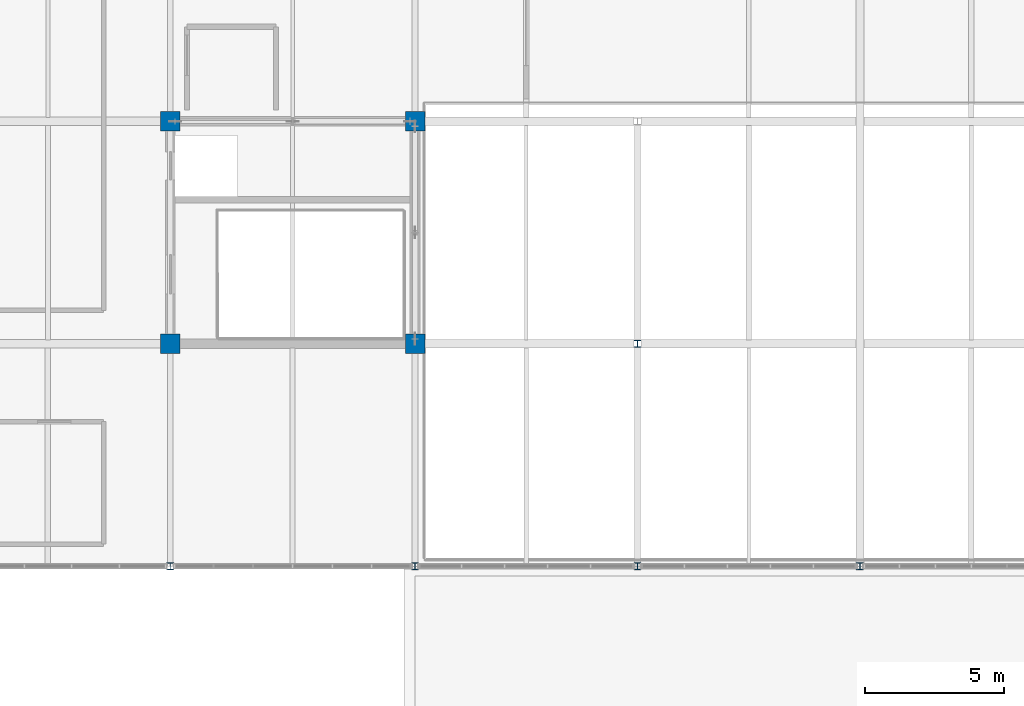
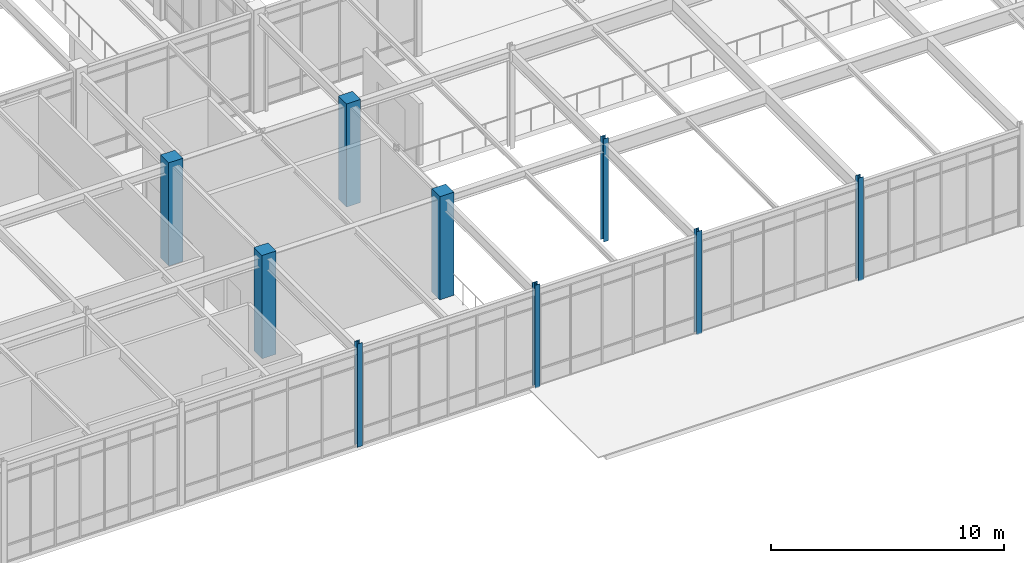
# One storey, part 3 of 184: 9 columns.
"""IFC4 building model written with IfcOpenShell, lengths in metres."""

from ifc_helpers import new_model, si_unit, direction, frame, origin, origin_2d, place, context, subcontext, project, spatial, rectangle, i_section, extrude, material, material_profile, profile_set, type_object, element, save


model = new_model("IFC4")

# Units and contexts
model_context = context("Model", 3, precision=1e-05, world=origin(), true_north=direction((0.0, 1.0)))
body_context = subcontext(model_context, "Body", "Model", "MODEL_VIEW")
ifc_project = project(units=[si_unit("LENGTHUNIT", "METRE"), si_unit("AREAUNIT", "SQUARE_METRE"), si_unit("VOLUMEUNIT", "CUBIC_METRE"), si_unit("PLANEANGLEUNIT", "RADIAN"), si_unit("MASSUNIT", "GRAM", prefix="KILO")], contexts=[model_context])

# Site, building, storey
site_placement = place(None, origin())
site = spatial("IfcSite", under=ifc_project, at=site_placement, CompositionType="ELEMENT")
building_placement = place(site_placement, origin())
building = spatial("IfcBuilding", under=site, at=building_placement, Name="Zhaolan Boulevard Law Courts", CompositionType="ELEMENT")
storey_placement = place(building_placement, frame((0.0, 0.0, 5.39990234375)))
storey = spatial("IfcBuildingStorey", under=building, at=storey_placement, Name="L01", CompositionType="ELEMENT", Elevation=5.39990234375)

# Columns
ifc_material_1 = material(Name="Structural steel Q355B", Category="steel")
ifc_material_profile_1 = material_profile(ifc_material_1, i_section(OverallWidth=0.25, OverallDepth=0.25, WebThickness=0.009033203125, FlangeThickness=0.013916015625, FilletRadius=0.01611328125, at=origin_2d()), Name="HW250x250")
ifc_profile_set_1 = profile_set([ifc_material_profile_1], Name="Structural steel Q355B")
column_type_1 = type_object("IfcColumnType", Name="COL HW250", PredefinedType="COLUMN", material=ifc_profile_set_1)
for number, where, z_axis, x_axis, name in (
    (1, (35.199951171875, 6.0, 0.0), (0.0, 0.0, 1.0), (1.0, 0.0, 0.0), "Column C-5B (L01)"),
    (2, (44.0, 6.0, 0.0), (0.0, 0.0, 1.0), (1.0, 0.0, 0.0), "Column C-6B (L01)"),
    (3, (52.0, 6.0, 0.0), (0.0, 0.0, 1.0), (1.0, 0.0, 0.0), "Column C-7B (L01)"),
    (4, (52.0, 14.0, 0.0), (0.0, 0.0, 1.0), (1.0, 0.0, 0.0), "Column C-7C (L01)"),
    (5, (60.0, 6.0, 0.0), (0.0, 0.0, 1.0), (1.0, 0.0, 0.0), "Column C-8B (L01)"),
):
    element("IfcColumn", number, at=place(storey_placement, frame(where, z_axis=z_axis, x_axis=x_axis)), inside=storey, type_object=column_type_1, Name=name, PredefinedType="COLUMN", context=body_context, shape_type="SweptSolid", body=[
        extrude(i_section(OverallWidth=0.25, OverallDepth=0.25, WebThickness=0.009033203125, FlangeThickness=0.013916015625, FilletRadius=0.01611328125, at=origin_2d()), origin(), (0.0, 0.0, 1.0), 5.400146484375),
    ])
ifc_material_2 = material(Name="Concrete C50", Category="concrete")
ifc_material_profile_2 = material_profile(ifc_material_2, rectangle(XDim=0.699951171875, YDim=0.699951171875, at=origin_2d()), Name="RC700x700")
ifc_profile_set_2 = profile_set([ifc_material_profile_2], Name="Concrete C50")
column_type_2 = type_object("IfcColumnType", Name="COL RC700", PredefinedType="COLUMN", material=ifc_profile_set_2)
for number, where, z_axis, x_axis, name in (
    (6, (35.199951171875, 14.0, 0.0), (0.0, 0.0, 1.0), (1.0, 0.0, 0.0), "Column C-5C (L01)"),
    (7, (35.199951171875, 22.0, 0.0), (0.0, 0.0, 1.0), (1.0, 0.0, 0.0), "Column C-5D (L01)"),
    (8, (44.0, 14.0, 0.0), (0.0, 0.0, 1.0), (1.0, 0.0, 0.0), "Column C-6C (L01)"),
    (9, (44.0, 22.0, 0.0), (0.0, 0.0, 1.0), (1.0, 0.0, 0.0), "Column C-6D (L01)"),
):
    element("IfcColumn", number, at=place(storey_placement, frame(where, z_axis=z_axis, x_axis=x_axis)), inside=storey, type_object=column_type_2, Name=name, PredefinedType="COLUMN", context=body_context, shape_type="SweptSolid", body=[
        extrude(rectangle(XDim=0.699951171875, YDim=0.699951171875, at=origin_2d()), origin(), (0.0, 0.0, 1.0), 5.400146484375),
    ])

save(model, "model.ifc")
